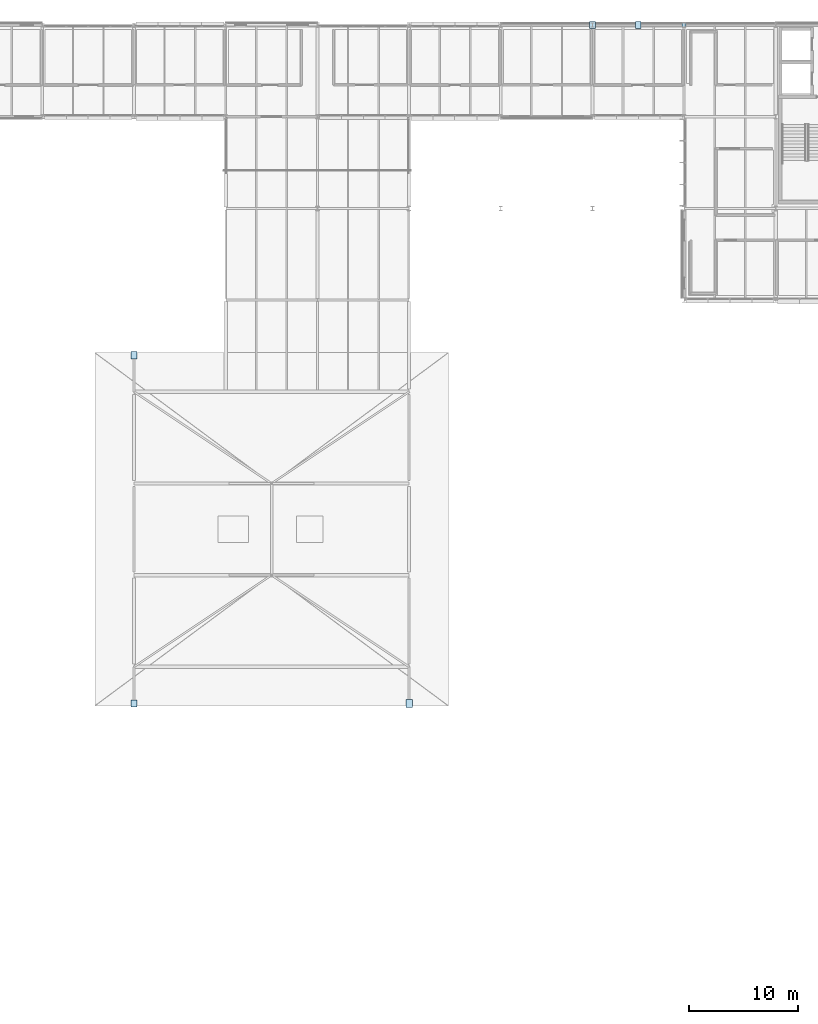
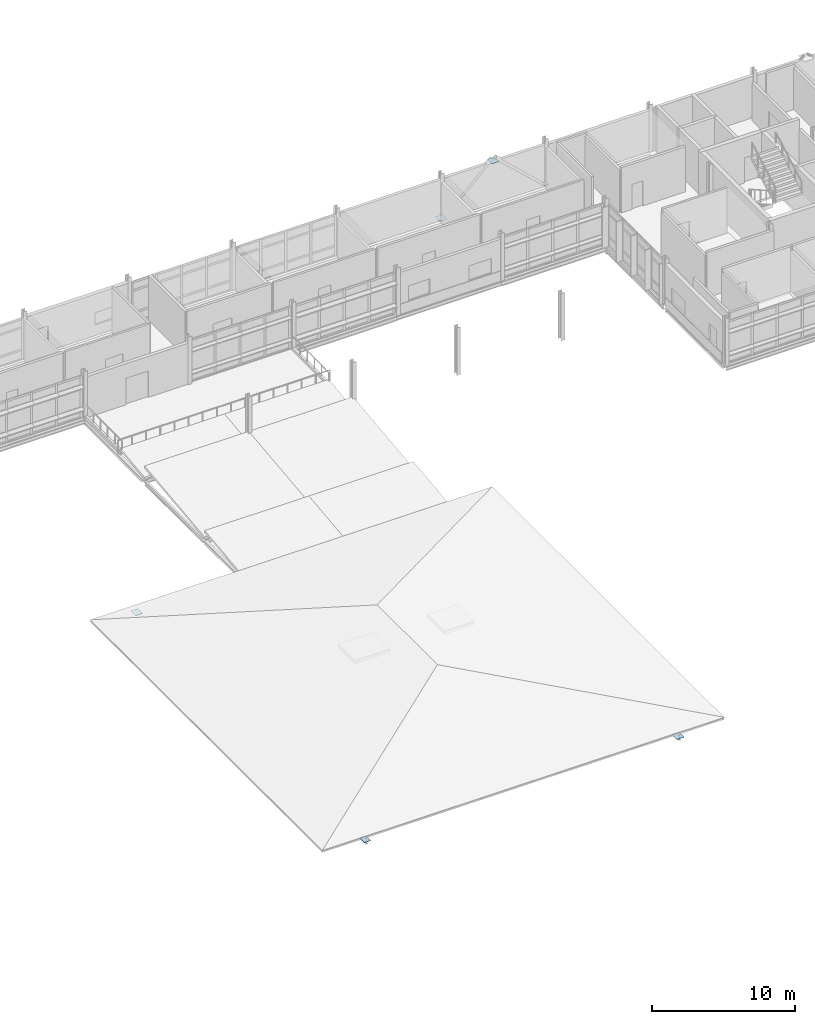
# One storey, part 50 of 66: 6 plates.
"""IFC4 building model written with IfcOpenShell, lengths in metres."""

from ifc_helpers import new_model, si_unit, direction, frame, origin, origin_2d, place, context, subcontext, project, spatial, rectangle, extrude, material, layer, layer_set, type_object, element, save


model = new_model("IFC4")

# Units and contexts
model_context = context("Model", 3, precision=1e-05, world=origin(), true_north=direction((0.0, 1.0)))
body_context = subcontext(model_context, "Body", "Model", "MODEL_VIEW")
ifc_project = project(units=[si_unit("LENGTHUNIT", "METRE"), si_unit("AREAUNIT", "SQUARE_METRE"), si_unit("VOLUMEUNIT", "CUBIC_METRE"), si_unit("PLANEANGLEUNIT", "RADIAN"), si_unit("MASSUNIT", "GRAM", prefix="KILO")], contexts=[model_context])

# Site, building, storey
site_placement = place(None, origin())
site = spatial("IfcSite", under=ifc_project, at=site_placement, CompositionType="ELEMENT")
building_placement = place(site_placement, origin())
building = spatial("IfcBuilding", under=site, at=building_placement, Name="Mersafa Astral City Hall", CompositionType="ELEMENT")
storey_placement = place(building_placement, frame((0.0, 0.0, 22.050048828125)))
storey = spatial("IfcBuildingStorey", under=building, at=storey_placement, Name="L05", CompositionType="ELEMENT", Elevation=22.050048828125)

# Plates
ifc_material = material(Name="Steel S355", Category="steel")
ifc_layer_1 = layer(ifc_material, 0.013916015625, Name="Steel S355")
ifc_layer_set_1 = layer_set([ifc_layer_1], Name="Steel S355 — STR-PLT-NP-1")
plate_type_1 = type_object("IfcPlateType", Name="STR-PLT-NP-1", PredefinedType="SHEET", material=ifc_layer_set_1)
plate_1_placement = place(storey_placement, frame((142.802001953125, 126.0, 0.11279296875), z_axis=(0.0, 0.0, 1.0), x_axis=(1.0, 0.0, 0.0)))
element("IfcPlate", 1, at=plate_1_placement, inside=storey, type_object=plate_type_1, Name="L05 Structural steel brace gusset plate NP-1", PredefinedType="SHEET", context=body_context, shape_type="SweptSolid", body=[
    extrude(rectangle(XDim=0.360107421875, YDim=0.39990234375, at=origin_2d()), origin(), (0.0, 0.0, 1.0), 0.013916015625),
])
ifc_layer_2 = layer(ifc_material, 0.01806640625, Name="Steel S355")
ifc_layer_set_2 = layer_set([ifc_layer_2], Name="Steel S355 — STR-PLT-NP-25")
plate_type_2 = type_object("IfcPlateType", Name="STR-PLT-NP-25", PredefinedType="SHEET", material=ifc_layer_set_2)
plate_2_placement = place(storey_placement, frame((92.39990234375, 63.85009765625, -0.419189453125), z_axis=(0.0, 0.0, 1.0), x_axis=(1.0, 0.0, 0.0)))
element("IfcPlate", 2, at=plate_2_placement, inside=storey, type_object=plate_type_2, Name="L05 Structural steel eave strut node plate NP-25", PredefinedType="SHEET", context=body_context, shape_type="SweptSolid", body=[
    extrude(rectangle(XDim=0.534912109375, YDim=0.659912109375, at=origin_2d()), origin(), (0.0, 0.0, 1.0), 0.01806640625),
])
ifc_layer_3 = layer(ifc_material, 0.01904296875, Name="Steel S355")
ifc_layer_set_3 = layer_set([ifc_layer_3], Name="Steel S355 — STR-PLT-NP-26")
plate_type_3 = type_object("IfcPlateType", Name="STR-PLT-NP-26", PredefinedType="SHEET", material=ifc_layer_set_3)
plate_3_placement = place(storey_placement, frame((92.39990234375, 95.75, -0.419677734375), z_axis=(0.0, 0.0, 1.0), x_axis=(1.0, 0.0, 0.0)))
element("IfcPlate", 3, at=plate_3_placement, inside=storey, type_object=plate_type_3, Name="L05 Structural steel eave strut node plate NP-26", PredefinedType="SHEET", context=body_context, shape_type="SweptSolid", body=[
    extrude(rectangle(XDim=0.56005859375, YDim=0.68994140625, at=origin_2d()), origin(), (0.0, 0.0, 1.0), 0.01904296875),
])
ifc_layer_4 = layer(ifc_material, 0.02001953125, Name="Steel S355")
ifc_layer_set_4 = layer_set([ifc_layer_4], Name="Steel S355 — STR-PLT-NP-27")
plate_type_4 = type_object("IfcPlateType", Name="STR-PLT-NP-27", PredefinedType="SHEET", material=ifc_layer_set_4)
plate_4_placement = place(storey_placement, frame((117.60009765625, 63.85009765625, -0.420166015625), z_axis=(0.0, 0.0, 1.0), x_axis=(1.0, 0.0, 0.0)))
element("IfcPlate", 4, at=plate_4_placement, inside=storey, type_object=plate_type_4, Name="L05 Structural steel eave strut node plate NP-27", PredefinedType="SHEET", context=body_context, shape_type="SweptSolid", body=[
    extrude(rectangle(XDim=0.5849609375, YDim=0.719970703125, at=origin_2d()), origin(), (0.0, 0.0, 1.0), 0.02001953125),
])
ifc_layer_5 = layer(ifc_material, 0.02099609375, Name="Steel S355")
ifc_layer_set_5 = layer_set([ifc_layer_5], Name="Steel S355 — STR-PLT-NP-8")
plate_type_5 = type_object("IfcPlateType", Name="STR-PLT-NP-8", PredefinedType="SHEET", material=ifc_layer_set_5)
plate_5_placement = place(storey_placement, frame((138.60009765625, 126.0, 3.54443359375), z_axis=(0.0, 0.0, 1.0), x_axis=(1.0, 0.0, 0.0)))
element("IfcPlate", 5, at=plate_5_placement, inside=storey, type_object=plate_type_5, Name="L05 Structural steel brace gusset plate NP-8", PredefinedType="SHEET", context=body_context, shape_type="SweptSolid", body=[
    extrude(rectangle(XDim=0.534912109375, YDim=0.610107421875, at=origin_2d()), origin(), (0.0, 0.0, 1.0), 0.02099609375),
])
ifc_layer_6 = layer(ifc_material, 0.02197265625, Name="Steel S355")
ifc_layer_set_6 = layer_set([ifc_layer_6], Name="Steel S355 — STR-PLT-NP-9")
plate_type_6 = type_object("IfcPlateType", Name="STR-PLT-NP-9", PredefinedType="SHEET", material=ifc_layer_set_6)
plate_6_placement = place(storey_placement, frame((134.39794921875, 126.0, 0.10888671875), z_axis=(0.0, 0.0, 1.0), x_axis=(1.0, 0.0, 0.0)))
element("IfcPlate", 6, at=plate_6_placement, inside=storey, type_object=plate_type_6, Name="L05 Structural steel brace gusset plate NP-9", PredefinedType="SHEET", context=body_context, shape_type="SweptSolid", body=[
    extrude(rectangle(XDim=0.56005859375, YDim=0.639892578125, at=origin_2d()), origin(), (0.0, 0.0, 1.0), 0.02197265625),
])

save(model, "model.ifc")
